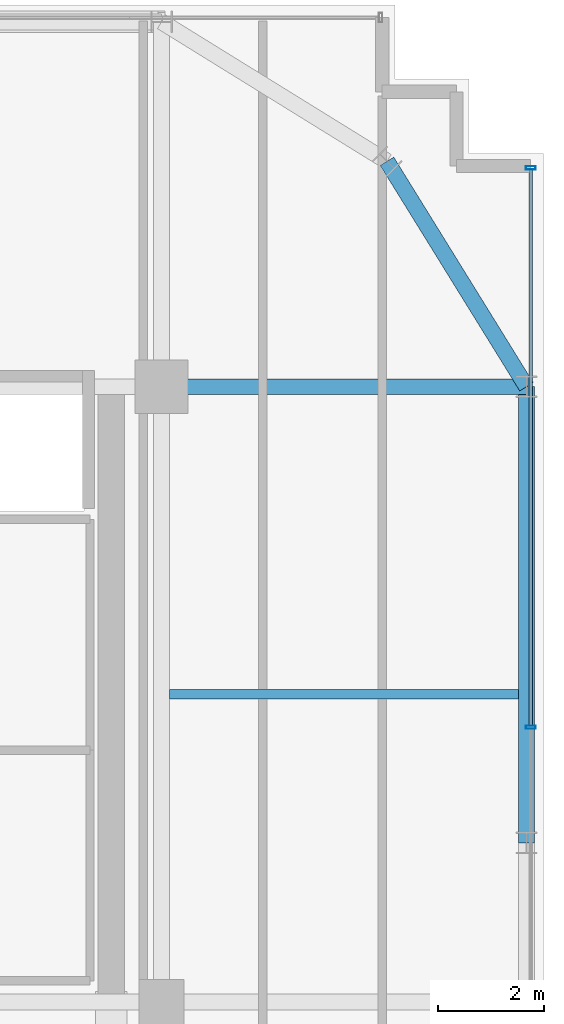
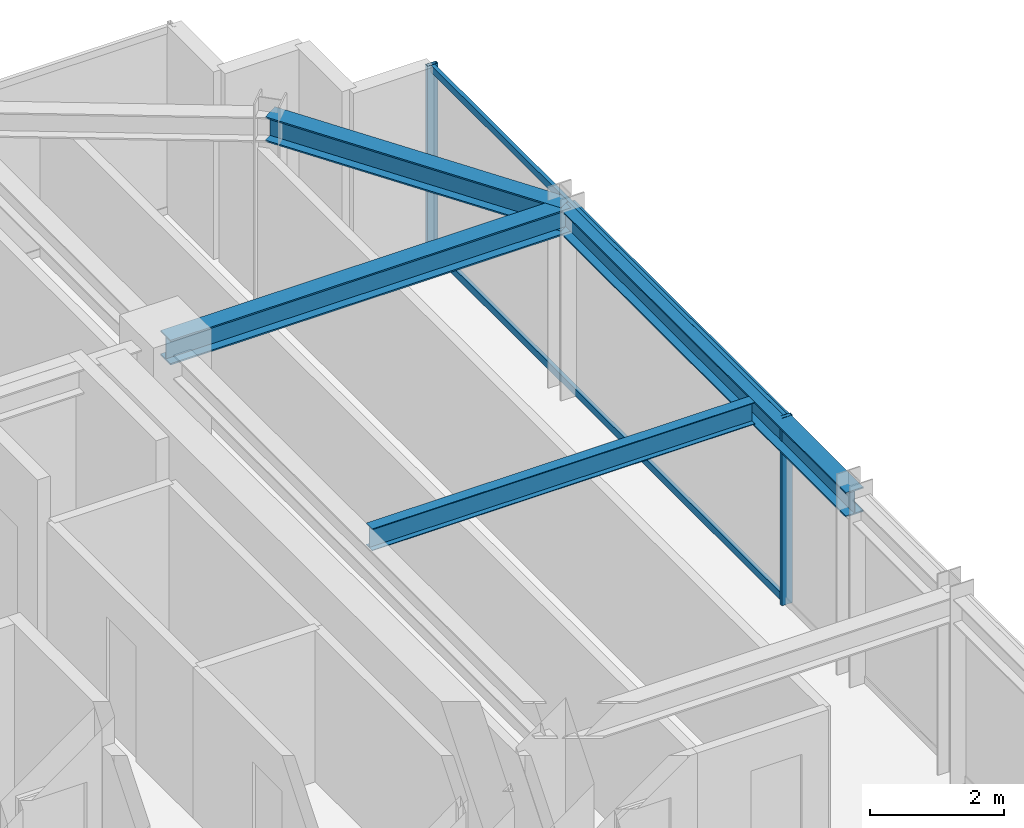
# One storey, part 26 of 36: 4 beams, 4 members, 1 element without a shape of its own.
"""IFC4 building model written with IfcOpenShell, lengths in metres."""

from ifc_helpers import new_model, si_unit, direction, frame, origin, origin_2d, place, context, subcontext, project, spatial, hollow_rectangle, i_section, extrude, source, transform, mapped, material, material_profile, profile_set, type_object, element, aggregate, save


model = new_model("IFC4")

# Units and contexts
model_context = context("Model", 3, precision=1e-05, world=origin(), true_north=direction((0.0, 1.0)))
body_context = subcontext(model_context, "Body", "Model", "MODEL_VIEW")
ifc_project = project(units=[si_unit("LENGTHUNIT", "METRE"), si_unit("AREAUNIT", "SQUARE_METRE"), si_unit("VOLUMEUNIT", "CUBIC_METRE"), si_unit("PLANEANGLEUNIT", "RADIAN"), si_unit("MASSUNIT", "GRAM", prefix="KILO")], contexts=[model_context])

# Site, building, storey
site_placement = place(None, origin())
site = spatial("IfcSite", under=ifc_project, at=site_placement, CompositionType="ELEMENT")
building_placement = place(site_placement, origin())
building = spatial("IfcBuilding", under=site, at=building_placement, Name="Nahalor Promenade Grand Hotel", CompositionType="ELEMENT")
storey_placement = place(building_placement, frame((0.0, 0.0, 241.89990234375)))
storey = spatial("IfcBuildingStorey", under=building, at=storey_placement, Name="L62", CompositionType="ELEMENT", Elevation=241.89990234375)

# Beams
ifc_material_1 = material(Name="Steel S355JR", Category="steel")
ifc_material_profile_1 = material_profile(ifc_material_1, i_section(OverallWidth=0.3, OverallDepth=0.45, WebThickness=0.014, FlangeThickness=0.026, at=origin_2d()), Name="HEB 450")
ifc_profile_set_1 = profile_set([ifc_material_profile_1], Name="Steel S355JR")
beam_type_1 = type_object("IfcBeamType", Name="Beam-Spandrel-HEB450", PredefinedType="SPANDREL", material=ifc_profile_set_1)
shared_shape_1 = source(origin(), body_context, "Body", "SweptSolid", [
    extrude(i_section(OverallWidth=0.3, OverallDepth=0.45, WebThickness=0.014, FlangeThickness=0.026, at=origin_2d()), origin(), (0.0, 0.0, 1.0), 8.60009765625),
])
beam_1_placement = place(storey_placement, frame((23.8798828125, 8.39990234375, 3.18505859375), z_axis=(0.0, 1.0, 0.0), x_axis=(-1.0, 0.0, 0.0)))
element("IfcBeam", 1, at=beam_1_placement, inside=storey, type_object=beam_type_1, Name="BM-L62-SP-E-4", PredefinedType="SPANDREL", context=body_context, shape_type="MappedRepresentation", body=[
    mapped(shared_shape_1, transform((0.0, 0.0, 0.0), scale=1.0)),
])
shared_shape_2 = source(origin(), body_context, "Body", "SweptSolid", [
    extrude(i_section(OverallWidth=0.3, OverallDepth=0.45, WebThickness=0.014, FlangeThickness=0.026, at=origin_2d()), origin(), (0.0, 0.0, 1.0), 4.997802734375),
])
beam_2_placement = place(storey_placement, frame((21.25, 21.25, 3.18505859375), z_axis=(0.526199891161, -0.850360908404, 0.0), x_axis=(0.850360908404, 0.526199891161, 0.0)))
element("IfcBeam", 2, at=beam_2_placement, inside=storey, type_object=beam_type_1, Name="BM-L62-SPC-NE-2", PredefinedType="SPANDREL", context=body_context, shape_type="MappedRepresentation", body=[
    mapped(shared_shape_2, transform((0.0, 0.0, 0.0), scale=1.0)),
])
ifc_material_profile_2 = material_profile(ifc_material_1, i_section(OverallWidth=0.3, OverallDepth=0.45, WebThickness=0.014, FlangeThickness=0.026, at=origin_2d()), Name="HEB 450")
ifc_profile_set_2 = profile_set([ifc_material_profile_2], Name="Steel S355JR")
beam_type_2 = type_object("IfcBeamType", Name="Beam-Girder-HEB450", PredefinedType="BEAM", material=ifc_profile_set_2)
shared_shape_3 = source(origin(), body_context, "Body", "SweptSolid", [
    extrude(i_section(OverallWidth=0.3, OverallDepth=0.45, WebThickness=0.014, FlangeThickness=0.026, at=origin_2d()), origin(), (0.0, 0.0, 1.0), 6.8798828125),
])
beam_3_placement = place(storey_placement, frame((17.0, 17.0, 3.18505859375), z_axis=(1.0, 0.0, 0.0), x_axis=(0.0, 1.0, 0.0)))
element("IfcBeam", 3, at=beam_3_placement, inside=storey, type_object=beam_type_2, Name="BM-L62-GX-3-6", PredefinedType="BEAM", context=body_context, shape_type="MappedRepresentation", body=[
    mapped(shared_shape_3, transform((0.0, 0.0, 0.0), scale=1.0)),
])
ifc_material_profile_3 = material_profile(ifc_material_1, i_section(OverallWidth=0.18, OverallDepth=0.4, WebThickness=0.0086, FlangeThickness=0.0135, at=origin_2d()), Name="IPE 400")
ifc_profile_set_3 = profile_set([ifc_material_profile_3], Name="Steel S355JR")
beam_type_3 = type_object("IfcBeamType", Name="Beam-Joist-IPE400", PredefinedType="JOIST", material=ifc_profile_set_3)
shared_shape_4 = source(origin(), body_context, "Body", "SweptSolid", [
    extrude(i_section(OverallWidth=0.18, OverallDepth=0.4, WebThickness=0.0086, FlangeThickness=0.0135, at=origin_2d()), origin(), (0.0, 0.0, 1.0), 6.580078125),
])
beam_4_placement = place(storey_placement, frame((17.14990234375, 11.199951171875, 3.210205078125), z_axis=(1.0, 0.0, 0.0), x_axis=(0.0, 1.0, 0.0)))
element("IfcBeam", 4, at=beam_4_placement, inside=storey, type_object=beam_type_3, Name="BM-L62-JSE-1-2", PredefinedType="JOIST", context=body_context, shape_type="MappedRepresentation", body=[
    mapped(shared_shape_4, transform((0.0, 0.0, 0.0), scale=1.0)),
])

# Curtain wall, members
ifc_material_2 = material(Name="Anodised Bronze Aluminium EN AW-6063 T6", Category="aluminium")
curtain_wall_type = type_object("IfcCurtainWallType", Name="CW2 Typical Hotel Flush Bronze Unitised Curtain Wall", PredefinedType="USERDEFINED", material=ifc_material_2)
curtain_wall_placement = place(storey_placement, origin())
curtain_wall = element("IfcCurtainWall", 5, at=curtain_wall_placement, inside=storey, type_object=curtain_wall_type, Name="L62 Curtain Wall CW-L62-E-1", ObjectType="UNITISED_CURTAIN_WALL", PredefinedType="USERDEFINED")
ifc_material_profile_4 = material_profile(ifc_material_2, hollow_rectangle(XDim=0.065, YDim=0.18, WallThickness=0.004, at=origin_2d()), Name="CWM 65x180x4")
ifc_profile_set_4 = profile_set([ifc_material_profile_4], Name="Anodised Bronze Aluminium EN AW-6063 T6")
member_type_1 = type_object("IfcMemberType", Name="CWM2 Typical Bronze Mullion 65x180", PredefinedType="MULLION", material=ifc_profile_set_4)
shared_shape_5 = source(origin(), body_context, "Body", "SweptSolid", [
    extrude(hollow_rectangle(XDim=0.065, YDim=0.18, WallThickness=0.004, at=origin_2d()), origin(), (0.0, 0.0, 1.0), 3.41015625),
])
member_1_placement = place(storey_placement, frame((23.9599609375, 10.580078125, 0.0), z_axis=(0.0, 0.0, 1.0), x_axis=(0.0, 1.0, 0.0)))
member_1 = element("IfcMember", 6, at=member_1_placement, type_object=member_type_1, Name="CW-L62-E-1 Mullion 3", PredefinedType="MULLION", context=body_context, shape_type="MappedRepresentation", body=[
    mapped(shared_shape_5, transform((0.0, 0.0, 0.0), scale=1.0)),
])
member_2_placement = place(storey_placement, frame((23.9599609375, 21.12744140625, 0.0), z_axis=(0.0, 0.0, 1.0), x_axis=(0.0, 1.0, 0.0)))
member_2 = element("IfcMember", 7, at=member_2_placement, type_object=member_type_1, Name="CW-L62-E-1 Mullion 4", PredefinedType="MULLION", context=body_context, shape_type="MappedRepresentation", body=[
    mapped(shared_shape_5, transform((0.0, 0.0, 0.0), scale=1.0)),
])
ifc_material_profile_5 = material_profile(ifc_material_2, hollow_rectangle(XDim=0.065, YDim=0.13, WallThickness=0.004, at=origin_2d()), Name="CWT 65x130x4")
ifc_profile_set_5 = profile_set([ifc_material_profile_5], Name="Anodised Bronze Aluminium EN AW-6063 T6")
member_type_2 = type_object("IfcMemberType", Name="CWT2 Typical Bronze Transom 65x130", PredefinedType="USERDEFINED", material=ifc_profile_set_5)
shared_shape_6 = source(origin(), body_context, "Body", "SweptSolid", [
    extrude(hollow_rectangle(XDim=0.065, YDim=0.13, WallThickness=0.004, at=origin_2d()), origin(), (0.0, 0.0, 1.0), 10.482421875),
])
member_3_placement = place(storey_placement, frame((23.9599609375, 10.612548828125, 0.065185546875), z_axis=(0.0, 1.0, 0.0), x_axis=(-1.0, 0.0, 0.0)))
member_3 = element("IfcMember", 8, at=member_3_placement, type_object=member_type_2, Name="CW-L62-E-1 Transom 3-0", ObjectType="TRANSOM", PredefinedType="USERDEFINED", context=body_context, shape_type="MappedRepresentation", body=[
    mapped(shared_shape_6, transform((0.0, 0.0, 0.0), scale=1.0)),
])
member_4_placement = place(storey_placement, frame((23.9599609375, 10.612548828125, 3.34521484375), z_axis=(0.0, 1.0, 0.0), x_axis=(-1.0, 0.0, 0.0)))
member_4 = element("IfcMember", 9, at=member_4_placement, type_object=member_type_2, Name="CW-L62-E-1 Transom 3-1", ObjectType="TRANSOM", PredefinedType="USERDEFINED", context=body_context, shape_type="MappedRepresentation", body=[
    mapped(shared_shape_6, transform((0.0, 0.0, 0.0), scale=1.0)),
])
aggregate(curtain_wall, [member_1, member_2, member_3, member_4])

save(model, "model.ifc")
